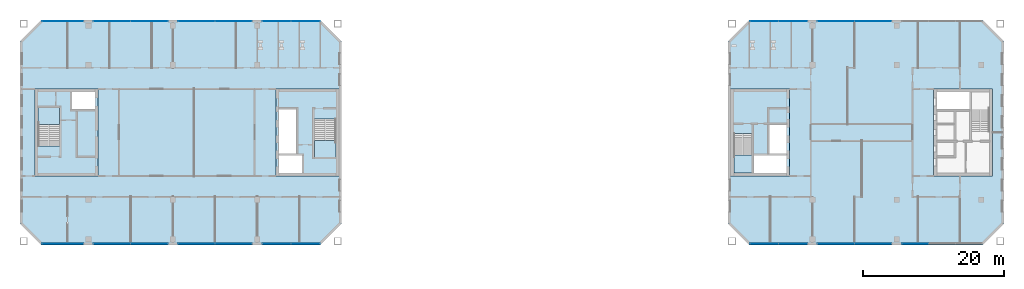
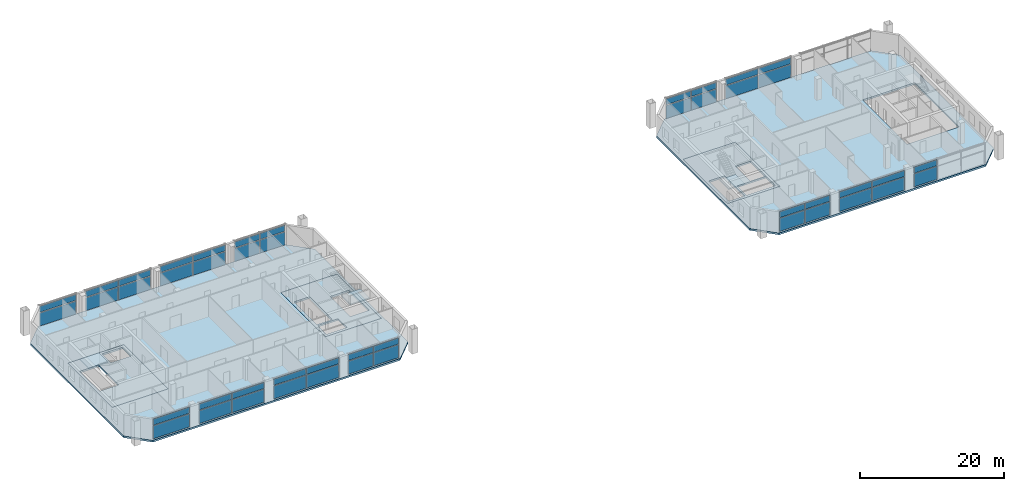
# One storey, part 8 of 19: 46 plates, 8 slabs, 16 elements without a shape of their own.
"""IFC4 building model written with IfcOpenShell, lengths in metres."""

from ifc_helpers import new_model, si_unit, direction, frame, origin, origin_2d, place, context, subcontext, project, spatial, polyline, rectangle, outline, extrude, material, layer, layer_set, type_object, element, aggregate, save


model = new_model("IFC4")

# Units and contexts
model_context = context("Model", 3, precision=1e-05, world=origin(), true_north=direction((0.0, 1.0)))
body_context = subcontext(model_context, "Body", "Model", "MODEL_VIEW")
ifc_project = project(units=[si_unit("LENGTHUNIT", "METRE"), si_unit("AREAUNIT", "SQUARE_METRE"), si_unit("VOLUMEUNIT", "CUBIC_METRE"), si_unit("PLANEANGLEUNIT", "RADIAN"), si_unit("MASSUNIT", "GRAM", prefix="KILO")], contexts=[model_context])

# Site, building, storey
site_placement = place(None, origin())
site = spatial("IfcSite", under=ifc_project, at=site_placement, CompositionType="ELEMENT")
building_placement = place(site_placement, origin())
building = spatial("IfcBuilding", under=site, at=building_placement, Name="Tuart Gate Housing", CompositionType="ELEMENT")
storey_placement = place(building_placement, frame((0.0, 0.0, 171.60009765625)))
storey = spatial("IfcBuildingStorey", under=building, at=storey_placement, Name="L48", CompositionType="ELEMENT", Elevation=171.60009765625)

# Slabs
ifc_material_1 = material(Name="Concrete C40", Category="concrete")
ifc_layer_1 = layer(ifc_material_1, 0.300048828125)
ifc_layer_set_1 = layer_set([ifc_layer_1], Name="Core floor slab 300")
slab_type_1 = type_object("IfcSlabType", Name="Core floor slab 300", PredefinedType="FLOOR", material=ifc_layer_set_1)
slab_1_placement = place(storey_placement, frame((0.0, 0.0, -0.300048828125)))
element("IfcSlab", 1, at=slab_1_placement, inside=storey, type_object=slab_type_1, Name="Core floor AG", PredefinedType="FLOOR", context=body_context, shape_type="SweptSolid", body=[
    extrude(outline(polyline([(66.639892578125, 63.800048828125), (75.639892578125, 63.800048828125), (75.639892578125, 76.199951171875), (66.639892578125, 76.199951171875), (66.639892578125, 63.800048828125)]), holes=[polyline([(67.090087890625, 64.25), (70.385009765625, 64.25), (70.385009765625, 66.72509765625), (67.090087890625, 66.72509765625), (67.090087890625, 64.25)]), polyline([(67.090087890625, 66.97509765625), (69.56494140625, 66.97509765625), (69.56494140625, 73.324951171875), (67.090087890625, 73.324951171875), (67.090087890625, 66.97509765625)]), polyline([(72.114990234375, 66.35009765625), (75.18994140625, 66.35009765625), (75.18994140625, 71.929931640625), (72.114990234375, 71.929931640625), (72.114990234375, 66.35009765625)])]), origin(), (0.0, 0.0, 1.0), 0.300048828125),
])
slab_2_placement = place(storey_placement, frame((0.0, 0.0, -0.300048828125)))
element("IfcSlab", 2, at=slab_2_placement, inside=storey, type_object=slab_type_1, Name="Core floor AK", PredefinedType="FLOOR", context=body_context, shape_type="SweptSolid", body=[
    extrude(outline(polyline([(32.360107421875, 63.800048828125), (41.360107421875, 63.800048828125), (41.360107421875, 76.199951171875), (32.360107421875, 76.199951171875), (32.360107421875, 63.800048828125)]), holes=[polyline([(40.909912109375, 75.75), (37.614990234375, 75.75), (37.614990234375, 73.27490234375), (40.909912109375, 73.27490234375), (40.909912109375, 75.75)]), polyline([(35.885009765625, 73.64990234375), (32.81005859375, 73.64990234375), (32.81005859375, 68.070068359375), (35.885009765625, 68.070068359375), (35.885009765625, 73.64990234375)])]), origin(), (0.0, 0.0, 1.0), 0.300048828125),
])
slab_3_placement = place(storey_placement, frame((0.0, 0.0, -0.300048828125)))
element("IfcSlab", 3, at=slab_3_placement, inside=storey, type_object=slab_type_1, Name="Core floor BG", PredefinedType="FLOOR", context=body_context, shape_type="SweptSolid", body=[
    extrude(outline(polyline([(131.360107421875, 63.800048828125), (139.760009765625, 63.800048828125), (139.760009765625, 76.199951171875), (131.360107421875, 76.199951171875), (131.360107421875, 63.800048828125)]), holes=[polyline([(139.31005859375, 66.85009765625), (134.635009765625, 66.85009765625), (134.635009765625, 64.25), (139.31005859375, 64.25), (139.31005859375, 66.85009765625)]), polyline([(139.31005859375, 71.125), (136.8349609375, 71.125), (136.8349609375, 66.97509765625), (139.31005859375, 66.97509765625), (139.31005859375, 71.125)]), polyline([(134.385009765625, 69.85498046875), (131.81005859375, 69.85498046875), (131.81005859375, 64.25), (134.385009765625, 64.25), (134.385009765625, 69.85498046875)])]), origin(), (0.0, 0.0, 1.0), 0.300048828125),
])
ifc_material_2 = material(Name="Concrete C40", Category="concrete")
ifc_layer_2 = layer(ifc_material_2, 0.300048828125)
ifc_layer_set_2 = layer_set([ifc_layer_2], Name="Flat plate 300")
slab_type_2 = type_object("IfcSlabType", Name="Flat plate 300", PredefinedType="FLOOR", material=ifc_layer_set_2)
slab_4_placement = place(storey_placement, frame((0.0, 0.0, -0.300048828125)))
element("IfcSlab", 4, at=slab_4_placement, inside=storey, type_object=slab_type_2, Name="Floor slab A L48", PredefinedType="FLOOR", context=body_context, shape_type="SweptSolid", body=[
    extrude(outline(polyline([(33.25, 86.0), (30.25, 83.0), (30.25, 57.0), (33.25, 54.0), (73.0, 54.0), (76.0, 57.0), (76.0, 83.0), (73.0, 86.0), (33.25, 86.0)]), holes=[polyline([(66.639892578125, 76.199951171875), (75.639892578125, 76.199951171875), (75.639892578125, 63.800048828125), (66.639892578125, 63.800048828125), (66.639892578125, 76.199951171875)]), polyline([(41.360107421875, 76.199951171875), (41.360107421875, 63.800048828125), (32.360107421875, 63.800048828125), (32.360107421875, 76.199951171875), (41.360107421875, 76.199951171875)])]), origin(), (0.0, 0.0, 1.0), 0.300048828125),
])
slab_5_placement = place(storey_placement, frame((0.0, 0.0, -0.300048828125)))
element("IfcSlab", 5, at=slab_5_placement, inside=storey, type_object=slab_type_2, Name="Floor slab B L48", PredefinedType="FLOOR", context=body_context, shape_type="SweptSolid", body=[
    extrude(outline(polyline([(134.0, 86.0), (131.0, 83.0), (131.0, 57.0), (134.0, 54.0), (167.25, 54.0), (170.25, 57.0), (170.25, 83.0), (167.25, 86.0), (134.0, 86.0)]), holes=[polyline([(131.360107421875, 76.199951171875), (139.760009765625, 76.199951171875), (139.760009765625, 63.800048828125), (131.360107421875, 63.800048828125), (131.360107421875, 76.199951171875)]), polyline([(168.639892578125, 76.199951171875), (168.639892578125, 63.800048828125), (160.239990234375, 63.800048828125), (160.239990234375, 76.199951171875), (168.639892578125, 76.199951171875)])]), origin(), (0.0, 0.0, 1.0), 0.300048828125),
])

# Curtain wall, plate
ifc_material_3 = material(Name="Aluminium and clear glass", Category="aluminium")
curtain_wall_type = type_object("IfcCurtainWallType", Name="Community floor glazing", PredefinedType="USERDEFINED", material=ifc_material_3)
curtain_wall_1_placement = place(storey_placement, origin())
curtain_wall_1 = element("IfcCurtainWall", 6, at=curtain_wall_1_placement, inside=storey, type_object=curtain_wall_type, Name="Community floor glazing A-S L48", ObjectType="COMMUNITY FLOOR GLAZING", PredefinedType="USERDEFINED")
ifc_material_4 = material(Name="Clear glass", Category="glass")
ifc_layer_3 = layer(ifc_material_4, 0.028076171875)
ifc_layer_set_3 = layer_set([ifc_layer_3], Name="Glazed panel 28")
plate_type_1 = type_object("IfcPlateType", Name="Glazed panel 28", PredefinedType="CURTAIN_PANEL", material=ifc_layer_set_3)
plate_1_placement = place(storey_placement, frame((36.312255859375, 54.179931640625, 0.1201171875), z_axis=(0.0, 0.0, 1.0), x_axis=(1.0, 0.0, 0.0)))
plate_1 = element("IfcPlate", 7, at=plate_1_placement, type_object=plate_type_1, Name="CW3 panel 1.1", PredefinedType="CURTAIN_PANEL", context=body_context, shape_type="SweptSolid", body=[
    extrude(rectangle(XDim=5.85546875, YDim=0.028076171875, at=origin_2d()), origin(), (0.0, 0.0, 1.0), 2.219970703125),
])

# Curtain wall, plates
curtain_wall_2_placement = place(storey_placement, origin())
curtain_wall_2 = element("IfcCurtainWall", 8, at=curtain_wall_2_placement, inside=storey, type_object=curtain_wall_type, Name="Community floor glazing A-S L48", ObjectType="COMMUNITY FLOOR GLAZING", PredefinedType="USERDEFINED")
plate_2_placement = place(storey_placement, frame((43.364990234375, 54.179931640625, 0.1201171875), z_axis=(0.0, 0.0, 1.0), x_axis=(1.0, 0.0, 0.0)))
plate_2 = element("IfcPlate", 9, at=plate_2_placement, type_object=plate_type_1, Name="CW3 panel 1.1", PredefinedType="CURTAIN_PANEL", context=body_context, shape_type="SweptSolid", body=[
    extrude(rectangle(XDim=5.2099609375, YDim=0.028076171875, at=origin_2d()), origin(), (0.0, 0.0, 1.0), 2.219970703125),
])
plate_3_placement = place(storey_placement, frame((43.364990234375, 54.179931640625, 2.4599609375), z_axis=(0.0, 0.0, 1.0), x_axis=(1.0, 0.0, 0.0)))
plate_3 = element("IfcPlate", 10, at=plate_3_placement, type_object=plate_type_1, Name="CW3 panel 1.2", PredefinedType="CURTAIN_PANEL", context=body_context, shape_type="SweptSolid", body=[
    extrude(rectangle(XDim=5.2099609375, YDim=0.028076171875, at=origin_2d()), origin(), (0.0, 0.0, 1.0), 1.02001953125),
])
plate_4_placement = place(storey_placement, frame((48.635009765625, 54.179931640625, 0.1201171875), z_axis=(0.0, 0.0, 1.0), x_axis=(1.0, 0.0, 0.0)))
plate_4 = element("IfcPlate", 11, at=plate_4_placement, type_object=plate_type_1, Name="CW3 panel 2.1", PredefinedType="CURTAIN_PANEL", context=body_context, shape_type="SweptSolid", body=[
    extrude(rectangle(XDim=5.2099609375, YDim=0.028076171875, at=origin_2d()), origin(), (0.0, 0.0, 1.0), 2.219970703125),
])
plate_5_placement = place(storey_placement, frame((48.635009765625, 54.179931640625, 2.4599609375), z_axis=(0.0, 0.0, 1.0), x_axis=(1.0, 0.0, 0.0)))
plate_5 = element("IfcPlate", 12, at=plate_5_placement, type_object=plate_type_1, Name="CW3 panel 2.2", PredefinedType="CURTAIN_PANEL", context=body_context, shape_type="SweptSolid", body=[
    extrude(rectangle(XDim=5.2099609375, YDim=0.028076171875, at=origin_2d()), origin(), (0.0, 0.0, 1.0), 1.02001953125),
])
aggregate(curtain_wall_2, [plate_2, plate_3, plate_4, plate_5])

curtain_wall_3_placement = place(storey_placement, origin())
curtain_wall_3 = element("IfcCurtainWall", 13, at=curtain_wall_3_placement, inside=storey, type_object=curtain_wall_type, Name="Community floor glazing A-S L48", ObjectType="COMMUNITY FLOOR GLAZING", PredefinedType="USERDEFINED")
plate_6_placement = place(storey_placement, frame((55.364990234375, 54.179931640625, 0.1201171875), z_axis=(0.0, 0.0, 1.0), x_axis=(1.0, 0.0, 0.0)))
plate_6 = element("IfcPlate", 14, at=plate_6_placement, type_object=plate_type_1, Name="CW3 panel 1.1", PredefinedType="CURTAIN_PANEL", context=body_context, shape_type="SweptSolid", body=[
    extrude(rectangle(XDim=5.2099609375, YDim=0.028076171875, at=origin_2d()), origin(), (0.0, 0.0, 1.0), 2.219970703125),
])
plate_7_placement = place(storey_placement, frame((55.364990234375, 54.179931640625, 2.4599609375), z_axis=(0.0, 0.0, 1.0), x_axis=(1.0, 0.0, 0.0)))
plate_7 = element("IfcPlate", 15, at=plate_7_placement, type_object=plate_type_1, Name="CW3 panel 1.2", PredefinedType="CURTAIN_PANEL", context=body_context, shape_type="SweptSolid", body=[
    extrude(rectangle(XDim=5.2099609375, YDim=0.028076171875, at=origin_2d()), origin(), (0.0, 0.0, 1.0), 1.02001953125),
])
plate_8_placement = place(storey_placement, frame((60.635009765625, 54.179931640625, 0.1201171875), z_axis=(0.0, 0.0, 1.0), x_axis=(1.0, 0.0, 0.0)))
plate_8 = element("IfcPlate", 16, at=plate_8_placement, type_object=plate_type_1, Name="CW3 panel 2.1", PredefinedType="CURTAIN_PANEL", context=body_context, shape_type="SweptSolid", body=[
    extrude(rectangle(XDim=5.2099609375, YDim=0.028076171875, at=origin_2d()), origin(), (0.0, 0.0, 1.0), 2.219970703125),
])
plate_9_placement = place(storey_placement, frame((60.635009765625, 54.179931640625, 2.4599609375), z_axis=(0.0, 0.0, 1.0), x_axis=(1.0, 0.0, 0.0)))
plate_9 = element("IfcPlate", 17, at=plate_9_placement, type_object=plate_type_1, Name="CW3 panel 2.2", PredefinedType="CURTAIN_PANEL", context=body_context, shape_type="SweptSolid", body=[
    extrude(rectangle(XDim=5.2099609375, YDim=0.028076171875, at=origin_2d()), origin(), (0.0, 0.0, 1.0), 1.02001953125),
])
aggregate(curtain_wall_3, [plate_6, plate_7, plate_8, plate_9])

curtain_wall_4_placement = place(storey_placement, origin())
curtain_wall_4 = element("IfcCurtainWall", 18, at=curtain_wall_4_placement, inside=storey, type_object=curtain_wall_type, Name="Community floor glazing A-S L48", ObjectType="COMMUNITY FLOOR GLAZING", PredefinedType="USERDEFINED")
plate_10_placement = place(storey_placement, frame((66.771484375, 54.179931640625, 0.1201171875), z_axis=(0.0, 0.0, 1.0), x_axis=(1.0, 0.0, 0.0)))
plate_10 = element("IfcPlate", 19, at=plate_10_placement, type_object=plate_type_1, Name="CW3 panel 1.1", PredefinedType="CURTAIN_PANEL", context=body_context, shape_type="SweptSolid", body=[
    extrude(rectangle(XDim=4.022705078125, YDim=0.028076171875, at=origin_2d()), origin(), (0.0, 0.0, 1.0), 2.219970703125),
])
plate_11_placement = place(storey_placement, frame((66.771484375, 54.179931640625, 2.4599609375), z_axis=(0.0, 0.0, 1.0), x_axis=(1.0, 0.0, 0.0)))
plate_11 = element("IfcPlate", 20, at=plate_11_placement, type_object=plate_type_1, Name="CW3 panel 1.2", PredefinedType="CURTAIN_PANEL", context=body_context, shape_type="SweptSolid", body=[
    extrude(rectangle(XDim=4.022705078125, YDim=0.028076171875, at=origin_2d()), origin(), (0.0, 0.0, 1.0), 1.02001953125),
])
plate_12_placement = place(storey_placement, frame((70.85400390625, 54.179931640625, 0.1201171875), z_axis=(0.0, 0.0, 1.0), x_axis=(1.0, 0.0, 0.0)))
plate_12 = element("IfcPlate", 21, at=plate_12_placement, type_object=plate_type_1, Name="CW3 panel 2.1", PredefinedType="CURTAIN_PANEL", context=body_context, shape_type="SweptSolid", body=[
    extrude(rectangle(XDim=4.022705078125, YDim=0.028076171875, at=origin_2d()), origin(), (0.0, 0.0, 1.0), 2.219970703125),
])

curtain_wall_5_placement = place(storey_placement, origin())
curtain_wall_5 = element("IfcCurtainWall", 22, at=curtain_wall_5_placement, inside=storey, type_object=curtain_wall_type, Name="Community floor glazing A-N L48", ObjectType="COMMUNITY FLOOR GLAZING", PredefinedType="USERDEFINED")
plate_13_placement = place(storey_placement, frame((70.85400390625, 85.820068359375, 0.1201171875), z_axis=(0.0, 0.0, 1.0), x_axis=(-1.0, 0.0, 0.0)))
plate_13 = element("IfcPlate", 23, at=plate_13_placement, type_object=plate_type_1, Name="CW3 panel 1.1", PredefinedType="CURTAIN_PANEL", context=body_context, shape_type="SweptSolid", body=[
    extrude(rectangle(XDim=4.022705078125, YDim=0.028076171875, at=origin_2d()), origin(), (0.0, 0.0, 1.0), 2.219970703125),
])
plate_14_placement = place(storey_placement, frame((66.771240234375, 85.820068359375, 0.1201171875), z_axis=(0.0, 0.0, 1.0), x_axis=(-1.0, 0.0, 0.0)))
plate_14 = element("IfcPlate", 24, at=plate_14_placement, type_object=plate_type_1, Name="CW3 panel 2.1", PredefinedType="CURTAIN_PANEL", context=body_context, shape_type="SweptSolid", body=[
    extrude(rectangle(XDim=4.022705078125, YDim=0.028076171875, at=origin_2d()), origin(), (0.0, 0.0, 1.0), 2.219970703125),
])
plate_15_placement = place(storey_placement, frame((66.771240234375, 85.820068359375, 2.4599609375), z_axis=(0.0, 0.0, 1.0), x_axis=(-1.0, 0.0, 0.0)))
plate_15 = element("IfcPlate", 25, at=plate_15_placement, type_object=plate_type_1, Name="CW3 panel 2.2", PredefinedType="CURTAIN_PANEL", context=body_context, shape_type="SweptSolid", body=[
    extrude(rectangle(XDim=4.022705078125, YDim=0.028076171875, at=origin_2d()), origin(), (0.0, 0.0, 1.0), 1.02001953125),
])

curtain_wall_6_placement = place(storey_placement, origin())
curtain_wall_6 = element("IfcCurtainWall", 26, at=curtain_wall_6_placement, inside=storey, type_object=curtain_wall_type, Name="Community floor glazing A-N L48", ObjectType="COMMUNITY FLOOR GLAZING", PredefinedType="USERDEFINED")
plate_16_placement = place(storey_placement, frame((60.635009765625, 85.820068359375, 0.1201171875), z_axis=(0.0, 0.0, 1.0), x_axis=(-1.0, 0.0, 0.0)))
plate_16 = element("IfcPlate", 27, at=plate_16_placement, type_object=plate_type_1, Name="CW3 panel 1.1", PredefinedType="CURTAIN_PANEL", context=body_context, shape_type="SweptSolid", body=[
    extrude(rectangle(XDim=5.2099609375, YDim=0.028076171875, at=origin_2d()), origin(), (0.0, 0.0, 1.0), 2.219970703125),
])
plate_17_placement = place(storey_placement, frame((60.635009765625, 85.820068359375, 2.4599609375), z_axis=(0.0, 0.0, 1.0), x_axis=(-1.0, 0.0, 0.0)))
plate_17 = element("IfcPlate", 28, at=plate_17_placement, type_object=plate_type_1, Name="CW3 panel 1.2", PredefinedType="CURTAIN_PANEL", context=body_context, shape_type="SweptSolid", body=[
    extrude(rectangle(XDim=5.2099609375, YDim=0.028076171875, at=origin_2d()), origin(), (0.0, 0.0, 1.0), 1.02001953125),
])
plate_18_placement = place(storey_placement, frame((55.364990234375, 85.820068359375, 0.1201171875), z_axis=(0.0, 0.0, 1.0), x_axis=(-1.0, 0.0, 0.0)))
plate_18 = element("IfcPlate", 29, at=plate_18_placement, type_object=plate_type_1, Name="CW3 panel 2.1", PredefinedType="CURTAIN_PANEL", context=body_context, shape_type="SweptSolid", body=[
    extrude(rectangle(XDim=5.2099609375, YDim=0.028076171875, at=origin_2d()), origin(), (0.0, 0.0, 1.0), 2.219970703125),
])
plate_19_placement = place(storey_placement, frame((55.364990234375, 85.820068359375, 2.4599609375), z_axis=(0.0, 0.0, 1.0), x_axis=(-1.0, 0.0, 0.0)))
plate_19 = element("IfcPlate", 30, at=plate_19_placement, type_object=plate_type_1, Name="CW3 panel 2.2", PredefinedType="CURTAIN_PANEL", context=body_context, shape_type="SweptSolid", body=[
    extrude(rectangle(XDim=5.2099609375, YDim=0.028076171875, at=origin_2d()), origin(), (0.0, 0.0, 1.0), 1.02001953125),
])
aggregate(curtain_wall_6, [plate_16, plate_17, plate_18, plate_19])

curtain_wall_7_placement = place(storey_placement, origin())
curtain_wall_7 = element("IfcCurtainWall", 31, at=curtain_wall_7_placement, inside=storey, type_object=curtain_wall_type, Name="Community floor glazing A-N L48", ObjectType="COMMUNITY FLOOR GLAZING", PredefinedType="USERDEFINED")
plate_20_placement = place(storey_placement, frame((48.635009765625, 85.820068359375, 0.1201171875), z_axis=(0.0, 0.0, 1.0), x_axis=(-1.0, 0.0, 0.0)))
plate_20 = element("IfcPlate", 32, at=plate_20_placement, type_object=plate_type_1, Name="CW3 panel 1.1", PredefinedType="CURTAIN_PANEL", context=body_context, shape_type="SweptSolid", body=[
    extrude(rectangle(XDim=5.2099609375, YDim=0.028076171875, at=origin_2d()), origin(), (0.0, 0.0, 1.0), 2.219970703125),
])
plate_21_placement = place(storey_placement, frame((48.635009765625, 85.820068359375, 2.4599609375), z_axis=(0.0, 0.0, 1.0), x_axis=(-1.0, 0.0, 0.0)))
plate_21 = element("IfcPlate", 33, at=plate_21_placement, type_object=plate_type_1, Name="CW3 panel 1.2", PredefinedType="CURTAIN_PANEL", context=body_context, shape_type="SweptSolid", body=[
    extrude(rectangle(XDim=5.2099609375, YDim=0.028076171875, at=origin_2d()), origin(), (0.0, 0.0, 1.0), 1.02001953125),
])
plate_22_placement = place(storey_placement, frame((43.364990234375, 85.820068359375, 0.1201171875), z_axis=(0.0, 0.0, 1.0), x_axis=(-1.0, 0.0, 0.0)))
plate_22 = element("IfcPlate", 34, at=plate_22_placement, type_object=plate_type_1, Name="CW3 panel 2.1", PredefinedType="CURTAIN_PANEL", context=body_context, shape_type="SweptSolid", body=[
    extrude(rectangle(XDim=5.2099609375, YDim=0.028076171875, at=origin_2d()), origin(), (0.0, 0.0, 1.0), 2.219970703125),
])
plate_23_placement = place(storey_placement, frame((43.364990234375, 85.820068359375, 2.4599609375), z_axis=(0.0, 0.0, 1.0), x_axis=(-1.0, 0.0, 0.0)))
plate_23 = element("IfcPlate", 35, at=plate_23_placement, type_object=plate_type_1, Name="CW3 panel 2.2", PredefinedType="CURTAIN_PANEL", context=body_context, shape_type="SweptSolid", body=[
    extrude(rectangle(XDim=5.2099609375, YDim=0.028076171875, at=origin_2d()), origin(), (0.0, 0.0, 1.0), 1.02001953125),
])
aggregate(curtain_wall_7, [plate_20, plate_21, plate_22, plate_23])

# Curtain wall, plate
curtain_wall_8_placement = place(storey_placement, origin())
curtain_wall_8 = element("IfcCurtainWall", 36, at=curtain_wall_8_placement, inside=storey, type_object=curtain_wall_type, Name="Community floor glazing A-N L48", ObjectType="COMMUNITY FLOOR GLAZING", PredefinedType="USERDEFINED")
plate_24_placement = place(storey_placement, frame((36.312255859375, 85.820068359375, 0.1201171875), z_axis=(0.0, 0.0, 1.0), x_axis=(-1.0, 0.0, 0.0)))
plate_24 = element("IfcPlate", 37, at=plate_24_placement, type_object=plate_type_1, Name="CW3 panel 1.1", PredefinedType="CURTAIN_PANEL", context=body_context, shape_type="SweptSolid", body=[
    extrude(rectangle(XDim=5.85546875, YDim=0.028076171875, at=origin_2d()), origin(), (0.0, 0.0, 1.0), 2.219970703125),
])

# Curtain wall, plates
curtain_wall_9_placement = place(storey_placement, origin())
curtain_wall_9 = element("IfcCurtainWall", 38, at=curtain_wall_9_placement, inside=storey, type_object=curtain_wall_type, Name="Community floor glazing B-S L48", ObjectType="COMMUNITY FLOOR GLAZING", PredefinedType="USERDEFINED")
plate_25_placement = place(storey_placement, frame((136.14599609375, 54.179931640625, 0.1201171875), z_axis=(0.0, 0.0, 1.0), x_axis=(1.0, 0.0, 0.0)))
plate_25 = element("IfcPlate", 39, at=plate_25_placement, type_object=plate_type_1, Name="CW3 panel 1.1", PredefinedType="CURTAIN_PANEL", context=body_context, shape_type="SweptSolid", body=[
    extrude(rectangle(XDim=4.022705078125, YDim=0.028076171875, at=origin_2d()), origin(), (0.0, 0.0, 1.0), 2.219970703125),
])
plate_26_placement = place(storey_placement, frame((140.228759765625, 54.179931640625, 0.1201171875), z_axis=(0.0, 0.0, 1.0), x_axis=(1.0, 0.0, 0.0)))
plate_26 = element("IfcPlate", 40, at=plate_26_placement, type_object=plate_type_1, Name="CW3 panel 2.1", PredefinedType="CURTAIN_PANEL", context=body_context, shape_type="SweptSolid", body=[
    extrude(rectangle(XDim=4.022705078125, YDim=0.028076171875, at=origin_2d()), origin(), (0.0, 0.0, 1.0), 2.219970703125),
])
plate_27_placement = place(storey_placement, frame((140.228759765625, 54.179931640625, 2.4599609375), z_axis=(0.0, 0.0, 1.0), x_axis=(1.0, 0.0, 0.0)))
plate_27 = element("IfcPlate", 41, at=plate_27_placement, type_object=plate_type_1, Name="CW3 panel 2.2", PredefinedType="CURTAIN_PANEL", context=body_context, shape_type="SweptSolid", body=[
    extrude(rectangle(XDim=4.022705078125, YDim=0.028076171875, at=origin_2d()), origin(), (0.0, 0.0, 1.0), 1.02001953125),
])

curtain_wall_10_placement = place(storey_placement, origin())
curtain_wall_10 = element("IfcCurtainWall", 42, at=curtain_wall_10_placement, inside=storey, type_object=curtain_wall_type, Name="Community floor glazing B-S L48", ObjectType="COMMUNITY FLOOR GLAZING", PredefinedType="USERDEFINED")
plate_28_placement = place(storey_placement, frame((146.364990234375, 54.179931640625, 0.1201171875), z_axis=(0.0, 0.0, 1.0), x_axis=(1.0, 0.0, 0.0)))
plate_28 = element("IfcPlate", 43, at=plate_28_placement, type_object=plate_type_1, Name="CW3 panel 1.1", PredefinedType="CURTAIN_PANEL", context=body_context, shape_type="SweptSolid", body=[
    extrude(rectangle(XDim=5.2099609375, YDim=0.028076171875, at=origin_2d()), origin(), (0.0, 0.0, 1.0), 2.219970703125),
])
plate_29_placement = place(storey_placement, frame((146.364990234375, 54.179931640625, 2.4599609375), z_axis=(0.0, 0.0, 1.0), x_axis=(1.0, 0.0, 0.0)))
plate_29 = element("IfcPlate", 44, at=plate_29_placement, type_object=plate_type_1, Name="CW3 panel 1.2", PredefinedType="CURTAIN_PANEL", context=body_context, shape_type="SweptSolid", body=[
    extrude(rectangle(XDim=5.2099609375, YDim=0.028076171875, at=origin_2d()), origin(), (0.0, 0.0, 1.0), 1.02001953125),
])
plate_30_placement = place(storey_placement, frame((151.635009765625, 54.179931640625, 0.1201171875), z_axis=(0.0, 0.0, 1.0), x_axis=(1.0, 0.0, 0.0)))
plate_30 = element("IfcPlate", 45, at=plate_30_placement, type_object=plate_type_1, Name="CW3 panel 2.1", PredefinedType="CURTAIN_PANEL", context=body_context, shape_type="SweptSolid", body=[
    extrude(rectangle(XDim=5.2099609375, YDim=0.028076171875, at=origin_2d()), origin(), (0.0, 0.0, 1.0), 2.219970703125),
])
plate_31_placement = place(storey_placement, frame((151.635009765625, 54.179931640625, 2.4599609375), z_axis=(0.0, 0.0, 1.0), x_axis=(1.0, 0.0, 0.0)))
plate_31 = element("IfcPlate", 46, at=plate_31_placement, type_object=plate_type_1, Name="CW3 panel 2.2", PredefinedType="CURTAIN_PANEL", context=body_context, shape_type="SweptSolid", body=[
    extrude(rectangle(XDim=5.2099609375, YDim=0.028076171875, at=origin_2d()), origin(), (0.0, 0.0, 1.0), 1.02001953125),
])
aggregate(curtain_wall_10, [plate_28, plate_29, plate_30, plate_31])

curtain_wall_11_placement = place(storey_placement, origin())
curtain_wall_11 = element("IfcCurtainWall", 47, at=curtain_wall_11_placement, inside=storey, type_object=curtain_wall_type, Name="Community floor glazing B-S L48", ObjectType="COMMUNITY FLOOR GLAZING", PredefinedType="USERDEFINED")
plate_32_placement = place(storey_placement, frame((157.627685546875, 54.179931640625, 0.1201171875), z_axis=(0.0, 0.0, 1.0), x_axis=(1.0, 0.0, 0.0)))
plate_32 = element("IfcPlate", 48, at=plate_32_placement, type_object=plate_type_1, Name="CW3 panel 1.1", PredefinedType="CURTAIN_PANEL", context=body_context, shape_type="SweptSolid", body=[
    extrude(rectangle(XDim=3.735107421875, YDim=0.028076171875, at=origin_2d()), origin(), (0.0, 0.0, 1.0), 2.219970703125),
])
plate_33_placement = place(storey_placement, frame((157.627685546875, 54.179931640625, 2.4599609375), z_axis=(0.0, 0.0, 1.0), x_axis=(1.0, 0.0, 0.0)))
plate_33 = element("IfcPlate", 49, at=plate_33_placement, type_object=plate_type_1, Name="CW3 panel 1.2", PredefinedType="CURTAIN_PANEL", context=body_context, shape_type="SweptSolid", body=[
    extrude(rectangle(XDim=3.735107421875, YDim=0.028076171875, at=origin_2d()), origin(), (0.0, 0.0, 1.0), 1.02001953125),
])
aggregate(curtain_wall_11, [plate_32, plate_33])

curtain_wall_12_placement = place(storey_placement, origin())
curtain_wall_12 = element("IfcCurtainWall", 50, at=curtain_wall_12_placement, inside=storey, type_object=curtain_wall_type, Name="Community floor glazing B-N L48", ObjectType="COMMUNITY FLOOR GLAZING", PredefinedType="USERDEFINED")
plate_34_placement = place(storey_placement, frame((151.635009765625, 85.820068359375, 0.1201171875), z_axis=(0.0, 0.0, 1.0), x_axis=(-1.0, 0.0, 0.0)))
plate_34 = element("IfcPlate", 51, at=plate_34_placement, type_object=plate_type_1, Name="CW3 panel 1.1", PredefinedType="CURTAIN_PANEL", context=body_context, shape_type="SweptSolid", body=[
    extrude(rectangle(XDim=5.2099609375, YDim=0.028076171875, at=origin_2d()), origin(), (0.0, 0.0, 1.0), 2.219970703125),
])
plate_35_placement = place(storey_placement, frame((151.635009765625, 85.820068359375, 2.4599609375), z_axis=(0.0, 0.0, 1.0), x_axis=(-1.0, 0.0, 0.0)))
plate_35 = element("IfcPlate", 52, at=plate_35_placement, type_object=plate_type_1, Name="CW3 panel 1.2", PredefinedType="CURTAIN_PANEL", context=body_context, shape_type="SweptSolid", body=[
    extrude(rectangle(XDim=5.2099609375, YDim=0.028076171875, at=origin_2d()), origin(), (0.0, 0.0, 1.0), 1.02001953125),
])
plate_36_placement = place(storey_placement, frame((146.364990234375, 85.820068359375, 0.1201171875), z_axis=(0.0, 0.0, 1.0), x_axis=(-1.0, 0.0, 0.0)))
plate_36 = element("IfcPlate", 53, at=plate_36_placement, type_object=plate_type_1, Name="CW3 panel 2.1", PredefinedType="CURTAIN_PANEL", context=body_context, shape_type="SweptSolid", body=[
    extrude(rectangle(XDim=5.2099609375, YDim=0.028076171875, at=origin_2d()), origin(), (0.0, 0.0, 1.0), 2.219970703125),
])
plate_37_placement = place(storey_placement, frame((146.364990234375, 85.820068359375, 2.4599609375), z_axis=(0.0, 0.0, 1.0), x_axis=(-1.0, 0.0, 0.0)))
plate_37 = element("IfcPlate", 54, at=plate_37_placement, type_object=plate_type_1, Name="CW3 panel 2.2", PredefinedType="CURTAIN_PANEL", context=body_context, shape_type="SweptSolid", body=[
    extrude(rectangle(XDim=5.2099609375, YDim=0.028076171875, at=origin_2d()), origin(), (0.0, 0.0, 1.0), 1.02001953125),
])
aggregate(curtain_wall_12, [plate_34, plate_35, plate_36, plate_37])

curtain_wall_13_placement = place(storey_placement, origin())
curtain_wall_13 = element("IfcCurtainWall", 55, at=curtain_wall_13_placement, inside=storey, type_object=curtain_wall_type, Name="Community floor glazing B-N L48", ObjectType="COMMUNITY FLOOR GLAZING", PredefinedType="USERDEFINED")
plate_38_placement = place(storey_placement, frame((140.228515625, 85.820068359375, 0.1201171875), z_axis=(0.0, 0.0, 1.0), x_axis=(-1.0, 0.0, 0.0)))
plate_38 = element("IfcPlate", 56, at=plate_38_placement, type_object=plate_type_1, Name="CW3 panel 1.1", PredefinedType="CURTAIN_PANEL", context=body_context, shape_type="SweptSolid", body=[
    extrude(rectangle(XDim=4.022705078125, YDim=0.028076171875, at=origin_2d()), origin(), (0.0, 0.0, 1.0), 2.219970703125),
])
plate_39_placement = place(storey_placement, frame((140.228515625, 85.820068359375, 2.4599609375), z_axis=(0.0, 0.0, 1.0), x_axis=(-1.0, 0.0, 0.0)))
plate_39 = element("IfcPlate", 57, at=plate_39_placement, type_object=plate_type_1, Name="CW3 panel 1.2", PredefinedType="CURTAIN_PANEL", context=body_context, shape_type="SweptSolid", body=[
    extrude(rectangle(XDim=4.022705078125, YDim=0.028076171875, at=origin_2d()), origin(), (0.0, 0.0, 1.0), 1.02001953125),
])
plate_40_placement = place(storey_placement, frame((136.14599609375, 85.820068359375, 0.1201171875), z_axis=(0.0, 0.0, 1.0), x_axis=(-1.0, 0.0, 0.0)))
plate_40 = element("IfcPlate", 58, at=plate_40_placement, type_object=plate_type_1, Name="CW3 panel 2.1", PredefinedType="CURTAIN_PANEL", context=body_context, shape_type="SweptSolid", body=[
    extrude(rectangle(XDim=4.022705078125, YDim=0.028076171875, at=origin_2d()), origin(), (0.0, 0.0, 1.0), 2.219970703125),
])

# Plate
ifc_material_5 = material(Name="Insulated aluminium panel", Category="aluminium")
ifc_layer_4 = layer(ifc_material_5, 0.028076171875)
ifc_layer_set_4 = layer_set([ifc_layer_4], Name="Insulated opaque panel 28")
plate_type_2 = type_object("IfcPlateType", Name="Insulated opaque panel 28", PredefinedType="CURTAIN_PANEL", material=ifc_layer_set_4)
plate_41_placement = place(storey_placement, frame((36.312255859375, 54.179931640625, 2.4599609375), z_axis=(0.0, 0.0, 1.0), x_axis=(1.0, 0.0, 0.0)))
plate_41 = element("IfcPlate", 59, at=plate_41_placement, type_object=plate_type_2, Name="CW3 opaque panel 1.2", PredefinedType="CURTAIN_PANEL", context=body_context, shape_type="SweptSolid", body=[
    extrude(rectangle(XDim=5.85546875, YDim=0.028076171875, at=origin_2d()), origin(), (0.0, 0.0, 1.0), 1.02001953125),
])

aggregate(curtain_wall_1, [plate_1, plate_41])

plate_42_placement = place(storey_placement, frame((70.85400390625, 54.179931640625, 2.4599609375), z_axis=(0.0, 0.0, 1.0), x_axis=(1.0, 0.0, 0.0)))
plate_42 = element("IfcPlate", 60, at=plate_42_placement, type_object=plate_type_2, Name="CW3 opaque panel 2.2", PredefinedType="CURTAIN_PANEL", context=body_context, shape_type="SweptSolid", body=[
    extrude(rectangle(XDim=4.022705078125, YDim=0.028076171875, at=origin_2d()), origin(), (0.0, 0.0, 1.0), 1.02001953125),
])

aggregate(curtain_wall_4, [plate_10, plate_11, plate_12, plate_42])

plate_43_placement = place(storey_placement, frame((70.85400390625, 85.820068359375, 2.4599609375), z_axis=(0.0, 0.0, 1.0), x_axis=(-1.0, 0.0, 0.0)))
plate_43 = element("IfcPlate", 61, at=plate_43_placement, type_object=plate_type_2, Name="CW3 opaque panel 1.2", PredefinedType="CURTAIN_PANEL", context=body_context, shape_type="SweptSolid", body=[
    extrude(rectangle(XDim=4.022705078125, YDim=0.028076171875, at=origin_2d()), origin(), (0.0, 0.0, 1.0), 1.02001953125),
])

aggregate(curtain_wall_5, [plate_13, plate_43, plate_14, plate_15])

plate_44_placement = place(storey_placement, frame((36.312255859375, 85.820068359375, 2.4599609375), z_axis=(0.0, 0.0, 1.0), x_axis=(-1.0, 0.0, 0.0)))
plate_44 = element("IfcPlate", 62, at=plate_44_placement, type_object=plate_type_2, Name="CW3 opaque panel 1.2", PredefinedType="CURTAIN_PANEL", context=body_context, shape_type="SweptSolid", body=[
    extrude(rectangle(XDim=5.85546875, YDim=0.028076171875, at=origin_2d()), origin(), (0.0, 0.0, 1.0), 1.02001953125),
])

aggregate(curtain_wall_8, [plate_24, plate_44])

plate_45_placement = place(storey_placement, frame((136.14599609375, 54.179931640625, 2.4599609375), z_axis=(0.0, 0.0, 1.0), x_axis=(1.0, 0.0, 0.0)))
plate_45 = element("IfcPlate", 63, at=plate_45_placement, type_object=plate_type_2, Name="CW3 opaque panel 1.2", PredefinedType="CURTAIN_PANEL", context=body_context, shape_type="SweptSolid", body=[
    extrude(rectangle(XDim=4.022705078125, YDim=0.028076171875, at=origin_2d()), origin(), (0.0, 0.0, 1.0), 1.02001953125),
])

aggregate(curtain_wall_9, [plate_25, plate_45, plate_26, plate_27])

plate_46_placement = place(storey_placement, frame((136.14599609375, 85.820068359375, 2.4599609375), z_axis=(0.0, 0.0, 1.0), x_axis=(-1.0, 0.0, 0.0)))
plate_46 = element("IfcPlate", 64, at=plate_46_placement, type_object=plate_type_2, Name="CW3 opaque panel 2.2", PredefinedType="CURTAIN_PANEL", context=body_context, shape_type="SweptSolid", body=[
    extrude(rectangle(XDim=4.022705078125, YDim=0.028076171875, at=origin_2d()), origin(), (0.0, 0.0, 1.0), 1.02001953125),
])

aggregate(curtain_wall_13, [plate_38, plate_39, plate_40, plate_46])

# Stair, slab
ifc_material_6 = material(Name="Concrete C40", Category="concrete")
stair_type_1 = type_object("IfcStairType", Name="Core stair 1500", PredefinedType="HALF_TURN_STAIR", material=ifc_material_6)
stair_1_placement = place(storey_placement, origin())
stair_1 = element("IfcStair", 65, at=stair_1_placement, inside=storey, type_object=stair_type_1, Name="Stair SA1", PredefinedType="HALF_TURN_STAIR")
ifc_material_7 = material(Name="Concrete C40", Category="concrete")
ifc_layer_5 = layer(ifc_material_7, 0.199951171875)
ifc_layer_set_5 = layer_set([ifc_layer_5], Name="Stair landing 200")
slab_type_3 = type_object("IfcSlabType", Name="Stair landing 200", PredefinedType="LANDING", material=ifc_layer_set_5)
slab_6_placement = place(storey_placement, frame((0.0, 0.0, 1.89990234375)))
slab_6 = element("IfcSlab", 66, at=slab_6_placement, type_object=slab_type_3, Name="SA1 landing 1", PredefinedType="LANDING", context=body_context, shape_type="SweptSolid", body=[
    extrude(outline(polyline([(72.114990234375, 66.35009765625), (75.18994140625, 66.35009765625), (75.18994140625, 68.8701171875), (72.114990234375, 68.8701171875), (72.114990234375, 66.35009765625)])), origin(), (0.0, 0.0, 1.0), 0.199951171875),
])
aggregate(stair_1, [slab_6])

stair_2_placement = place(storey_placement, origin())
stair_2 = element("IfcStair", 67, at=stair_2_placement, inside=storey, type_object=stair_type_1, Name="Stair SA2", PredefinedType="HALF_TURN_STAIR")
slab_7_placement = place(storey_placement, frame((0.0, 0.0, 1.89990234375)))
slab_7 = element("IfcSlab", 68, at=slab_7_placement, type_object=slab_type_3, Name="SA2 landing 1", PredefinedType="LANDING", context=body_context, shape_type="SweptSolid", body=[
    extrude(outline(polyline([(35.885009765625, 73.64990234375), (32.81005859375, 73.64990234375), (32.81005859375, 71.1298828125), (35.885009765625, 71.1298828125), (35.885009765625, 73.64990234375)])), origin(), (0.0, 0.0, 1.0), 0.199951171875),
])
aggregate(stair_2, [slab_7])

ifc_material_8 = material(Name="Concrete C40", Category="concrete")
stair_type_2 = type_object("IfcStairType", Name="Core stair 1250", PredefinedType="HALF_TURN_STAIR", material=ifc_material_8)
stair_3_placement = place(storey_placement, origin())
stair_3 = element("IfcStair", 69, at=stair_3_placement, inside=storey, type_object=stair_type_2, Name="Stair SB1", PredefinedType="HALF_TURN_STAIR")
slab_8_placement = place(storey_placement, frame((0.0, 0.0, 1.89990234375)))
slab_8 = element("IfcSlab", 70, at=slab_8_placement, type_object=slab_type_3, Name="SB1 landing 1", PredefinedType="LANDING", context=body_context, shape_type="SweptSolid", body=[
    extrude(outline(polyline([(134.385009765625, 66.794921875), (131.81005859375, 66.794921875), (131.81005859375, 64.25), (134.385009765625, 64.25), (134.385009765625, 66.794921875)])), origin(), (0.0, 0.0, 1.0), 0.199951171875),
])
aggregate(stair_3, [slab_8])

save(model, "model.ifc")
